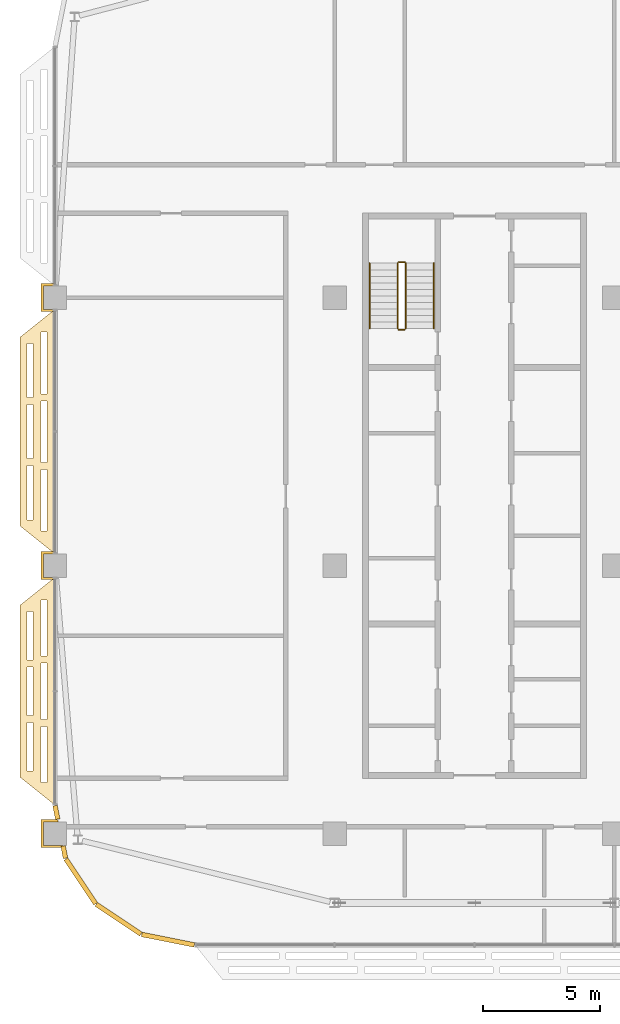
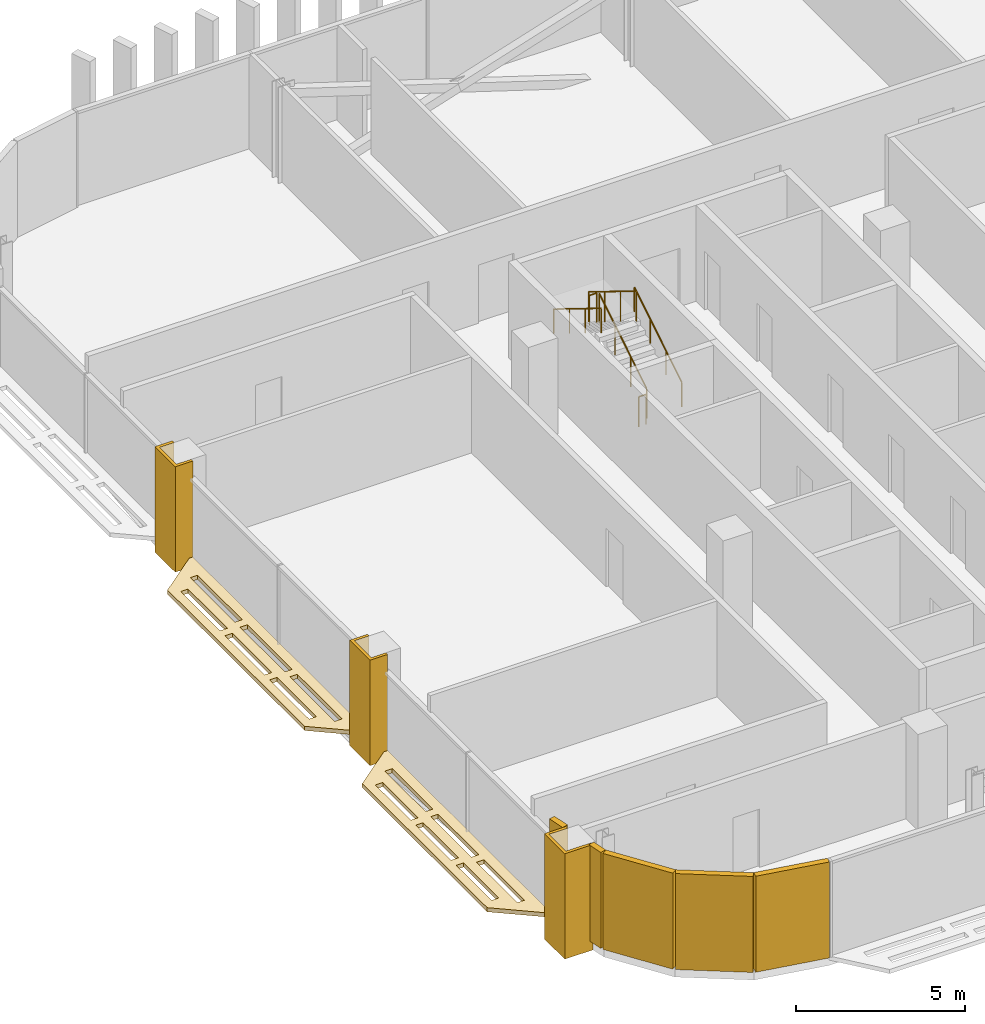
# One storey, part 26 of 32: 10 coverings, 6 railings.
"""IFC4 building model written with IfcOpenShell, lengths in metres."""

from ifc_helpers import new_model, si_unit, direction, frame, origin, origin_2d, place, context, subcontext, project, spatial, polyline, rectangle, circle, outline, extrude, material, layer, layer_set, type_object, element, save


model = new_model("IFC4")

# Units and contexts
model_context = context("Model", 3, precision=1e-05, world=origin(), true_north=direction((0.0, 1.0)))
body_context = subcontext(model_context, "Body", "Model", "MODEL_VIEW")
ifc_project = project(units=[si_unit("LENGTHUNIT", "METRE"), si_unit("AREAUNIT", "SQUARE_METRE"), si_unit("VOLUMEUNIT", "CUBIC_METRE"), si_unit("PLANEANGLEUNIT", "RADIAN"), si_unit("MASSUNIT", "GRAM", prefix="KILO")], contexts=[model_context])

# Site, building, storey
site_placement = place(None, origin())
site = spatial("IfcSite", under=ifc_project, at=site_placement, CompositionType="ELEMENT")
building_placement = place(site_placement, origin())
building = spatial("IfcBuilding", under=site, at=building_placement, Name="Mahtab Terrace Research Tower", CompositionType="ELEMENT")
storey_placement = place(building_placement, frame((0.0, 0.0, 236.199951171875)))
storey = spatial("IfcBuildingStorey", under=building, at=storey_placement, Name="L57", CompositionType="ELEMENT", Elevation=236.199951171875)

# Coverings
ifc_material_1 = material(Name="Black aluminium cladding panel", Category="aluminium")
ifc_layer_1 = layer(ifc_material_1, 0.199951171875)
ifc_layer_set_1 = layer_set([ifc_layer_1], Name="Black metal corner cladding 200")
covering_type_1 = type_object("IfcCoveringType", Name="Black metal corner cladding 200", PredefinedType="CLADDING", material=ifc_layer_set_1)
covering_1_placement = place(storey_placement, frame((-41.9384765625, -10.587158203125, 0.0), z_axis=(0.0, 0.0, 1.0), x_axis=(0.195212442692, -0.980760981187, 0.0)))
element("IfcCovering", 1, at=covering_1_placement, inside=storey, type_object=covering_type_1, Name="Corner cladding L57 11", PredefinedType="CLADDING", context=body_context, shape_type="SweptSolid", body=[
    extrude(rectangle(XDim=0.590576171875, YDim=0.199951171875, at=origin_2d()), origin(), (0.0, 0.0, 1.0), 3.4599609375),
])
covering_2_placement = place(storey_placement, frame((-41.59912109375, -12.292236328125, 0.0), z_axis=(0.0, 0.0, 1.0), x_axis=(0.195212442692, -0.980760981187, 0.0)))
element("IfcCovering", 2, at=covering_2_placement, inside=storey, type_object=covering_type_1, Name="Corner cladding L57 12", PredefinedType="CLADDING", context=body_context, shape_type="SweptSolid", body=[
    extrude(rectangle(XDim=0.53466796875, YDim=0.199951171875, at=origin_2d()), origin(), (0.0, 0.0, 1.0), 3.4599609375),
])
for number, where, z_axis, x_axis, name in (
    (3, (-40.89306640625, -13.547607421875, 0.0), (0.0, 0.0, 1.0), (0.555291490808, -0.831655794326, 0.0), "Corner cladding L57 13"),
    (4, (-39.26953125, -15.1708984375, 0.0), (0.0, 0.0, 1.0), (0.831655794326, -0.555291490808, 0.0), "Corner cladding L57 14"),
    (5, (-37.14794921875, -16.049560546875, 0.0), (0.0, 0.0, 1.0), (0.980760981187, -0.195212442692, 0.0), "Corner cladding L57 15"),
):
    element("IfcCovering", number, at=place(storey_placement, frame(where, z_axis=z_axis, x_axis=x_axis)), inside=storey, type_object=covering_type_1, Name=name, PredefinedType="CLADDING", context=body_context, shape_type="SweptSolid", body=[
        extrude(rectangle(XDim=2.30126953125, YDim=0.199951171875, at=origin_2d()), origin(), (0.0, 0.0, 1.0), 3.4599609375),
    ])
ifc_material_2 = material(Name="Dark anodised aluminium cladding", Category="aluminium")
ifc_layer_2 = layer(ifc_material_2, 0.10009765625)
ifc_layer_set_2 = layer_set([ifc_layer_2], Name="Column casing 100")
covering_type_2 = type_object("IfcCoveringType", Name="Column casing 100", PredefinedType="CLADDING", material=ifc_layer_set_2)
covering_3_placement = place(storey_placement, frame((0.0, 0.0, -0.33984375)))
element("IfcCovering", 6, at=covering_3_placement, inside=storey, type_object=covering_type_2, Name="Column casing RC-1A L57", PredefinedType="CLADDING", context=body_context, shape_type="SweptSolid", body=[
    extrude(outline(polyline([(-42.60009765625, -10.89990234375), (-41.8759765625, -10.89990234375), (-41.85595703125, -11.0), (-42.5, -11.0), (-42.5, -12.0), (-41.656982421875, -12.0), (-41.636962890625, -12.10009765625), (-42.60009765625, -12.10009765625), (-42.60009765625, -10.89990234375)])), origin(), (0.0, 0.0, 1.0), 3.7998046875),
])
covering_4_placement = place(storey_placement, frame((0.0, 0.0, -0.33984375)))
element("IfcCovering", 7, at=covering_4_placement, inside=storey, type_object=covering_type_2, Name="Column casing RC-1B L57", PredefinedType="CLADDING", context=body_context, shape_type="SweptSolid", body=[
    extrude(outline(polyline([(-42.60009765625, 0.60009765625), (-42.0, 0.60009765625), (-42.0, 0.5), (-42.5, 0.5), (-42.5, -0.5), (-42.0, -0.5), (-42.0, -0.60009765625), (-42.60009765625, -0.60009765625), (-42.60009765625, 0.60009765625)])), origin(), (0.0, 0.0, 1.0), 3.7998046875),
])
covering_5_placement = place(storey_placement, frame((0.0, 0.0, -0.33984375)))
element("IfcCovering", 8, at=covering_5_placement, inside=storey, type_object=covering_type_2, Name="Column casing RC-1C L57", PredefinedType="CLADDING", context=body_context, shape_type="SweptSolid", body=[
    extrude(outline(polyline([(-42.60009765625, 12.10009765625), (-42.0, 12.10009765625), (-42.0, 12.0), (-42.5, 12.0), (-42.5, 11.0), (-42.0, 11.0), (-42.0, 10.89990234375), (-42.60009765625, 10.89990234375), (-42.60009765625, 12.10009765625)])), origin(), (0.0, 0.0, 1.0), 3.7998046875),
])
ifc_material_3 = material(Name="Black anodised aluminium", Category="aluminium")
ifc_layer_3 = layer(ifc_material_3, 0.14990234375)
ifc_layer_set_3 = layer_set([ifc_layer_3], Name="Horizontal sunshade band")
covering_type_3 = type_object("IfcCoveringType", Name="Horizontal sunshade band", PredefinedType="CLADDING", material=ifc_layer_set_3)
covering_6_placement = place(storey_placement, frame((0.0, 0.0, -0.14990234375)))
element("IfcCovering", 9, at=covering_6_placement, inside=storey, type_object=covering_type_3, Name="Sunshade band L57 9", PredefinedType="CLADDING", context=body_context, shape_type="SweptSolid", body=[
    extrude(outline(polyline([(-42.0, 11.0), (-42.0, 0.5), (-43.5, 1.699951171875), (-43.5, 9.800048828125), (-42.0, 11.0)]), holes=[polyline([(-42.35009765625, 10.02001953125), (-42.35009765625, 7.373046875), (-42.60009765625, 7.373046875), (-42.60009765625, 10.02001953125), (-42.35009765625, 10.02001953125)]), polyline([(-42.35009765625, 7.072998046875), (-42.35009765625, 4.427001953125), (-42.60009765625, 4.427001953125), (-42.60009765625, 7.072998046875), (-42.35009765625, 7.072998046875)]), polyline([(-42.35009765625, 4.126953125), (-42.35009765625, 1.47998046875), (-42.60009765625, 1.47998046875), (-42.60009765625, 4.126953125), (-42.35009765625, 4.126953125)]), polyline([(-42.949951171875, 9.5400390625), (-42.949951171875, 7.212890625), (-43.199951171875, 7.212890625), (-43.199951171875, 9.5400390625), (-42.949951171875, 9.5400390625)]), polyline([(-42.949951171875, 6.9130859375), (-42.949951171875, 4.5869140625), (-43.199951171875, 4.5869140625), (-43.199951171875, 6.9130859375), (-42.949951171875, 6.9130859375)]), polyline([(-42.949951171875, 4.287109375), (-42.949951171875, 1.9599609375), (-43.199951171875, 1.9599609375), (-43.199951171875, 4.287109375), (-42.949951171875, 4.287109375)])]), origin(), (0.0, 0.0, 1.0), 0.14990234375),
])
covering_7_placement = place(storey_placement, frame((0.0, 0.0, -0.14990234375)))
element("IfcCovering", 10, at=covering_7_placement, inside=storey, type_object=covering_type_3, Name="Sunshade band L57 10", PredefinedType="CLADDING", context=body_context, shape_type="SweptSolid", body=[
    extrude(outline(polyline([(-42.0, -0.5), (-42.0, -10.278076171875), (-43.5, -9.077880859375), (-43.5, -1.699951171875), (-42.0, -0.5)]), holes=[polyline([(-42.35009765625, -1.47998046875), (-42.35009765625, -3.885986328125), (-42.60009765625, -3.885986328125), (-42.60009765625, -1.47998046875), (-42.35009765625, -1.47998046875)]), polyline([(-42.35009765625, -4.18603515625), (-42.35009765625, -6.592041015625), (-42.60009765625, -6.592041015625), (-42.60009765625, -4.18603515625), (-42.35009765625, -4.18603515625)]), polyline([(-42.35009765625, -6.89208984375), (-42.35009765625, -9.298095703125), (-42.60009765625, -9.298095703125), (-42.60009765625, -6.89208984375), (-42.35009765625, -6.89208984375)]), polyline([(-42.949951171875, -1.9599609375), (-42.949951171875, -4.0458984375), (-43.199951171875, -4.0458984375), (-43.199951171875, -1.9599609375), (-42.949951171875, -1.9599609375)]), polyline([(-42.949951171875, -4.345947265625), (-42.949951171875, -6.431884765625), (-43.199951171875, -6.431884765625), (-43.199951171875, -4.345947265625), (-42.949951171875, -4.345947265625)]), polyline([(-42.949951171875, -6.73193359375), (-42.949951171875, -8.818115234375), (-43.199951171875, -8.818115234375), (-43.199951171875, -6.73193359375), (-42.949951171875, -6.73193359375)])]), origin(), (0.0, 0.0, 1.0), 0.14990234375),
])

# Railings
ifc_material_4 = material(Name="Stainless steel AISI 304", Category="steel")
railing_type_1 = type_object("IfcRailingType", Name="Stair guard 1100", PredefinedType="GUARDRAIL", material=ifc_material_4)
railing_1_placement = place(storey_placement, frame((-26.949951171875, 10.175048828125, 0.1728515625)))
element("IfcRailing", 11, at=railing_1_placement, inside=storey, type_object=railing_type_1, Name="L57 ST1 stair guard 1", PredefinedType="GUARDRAIL", context=body_context, shape_type="SweptSolid", body=[
    extrude(circle(Radius=0.02392578125, at=origin_2d()), frame((0.0, 0.0, 1.076171875), z_axis=(0.0, 0.851089632645, 0.525020415988), x_axis=(-1.0, 0.0, 0.0)), (0.0, 0.0, 1.0), 3.2900390625),
    extrude(circle(Radius=0.02099609375, at=origin_2d()), origin(), (0.0, 0.0, 1.0), 1.052001953125),
    extrude(circle(Radius=0.02099609375, at=origin_2d()), frame((0.0, 0.933349609375, 0.57568359375)), (0.0, 0.0, 1.0), 1.052001953125),
    extrude(circle(Radius=0.02099609375, at=origin_2d()), frame((0.0, 1.86669921875, 1.151611328125)), (0.0, 0.0, 1.0), 1.052001953125),
    extrude(circle(Radius=0.02099609375, at=origin_2d()), frame((0.0, 2.800048828125, 1.727294921875)), (0.0, 0.0, 1.0), 1.052001953125),
])
railing_2_placement = place(storey_placement, frame((-27.0, 13.02490234375, 1.900146484375)))
element("IfcRailing", 12, at=railing_2_placement, inside=storey, type_object=railing_type_1, Name="L57 ST1 stair guard 2", PredefinedType="GUARDRAIL", context=body_context, shape_type="SweptSolid", body=[
    extrude(circle(Radius=0.02392578125, at=origin_2d()), frame((0.0, 0.0, 1.076171875), z_axis=(-1.0, 0.0, 0.0), x_axis=(0.0, -1.0, 0.0)), (0.0, 0.0, 1.0), 0.25),
    extrude(circle(Radius=0.02099609375, at=origin_2d()), origin(), (0.0, 0.0, 1.0), 1.052001953125),
    extrude(circle(Radius=0.02099609375, at=origin_2d()), frame((-0.25, 0.0, 0.0)), (0.0, 0.0, 1.0), 1.052001953125),
])
railing_3_placement = place(storey_placement, frame((-27.300048828125, 12.97509765625, 2.07275390625)))
element("IfcRailing", 13, at=railing_3_placement, inside=storey, type_object=railing_type_1, Name="L57 ST1 stair guard 3", PredefinedType="GUARDRAIL", context=body_context, shape_type="SweptSolid", body=[
    extrude(circle(Radius=0.02392578125, at=origin_2d()), frame((0.0, 0.0, 1.076171875), z_axis=(0.0, -0.851089632645, 0.525020415988), x_axis=(1.0, 0.0, 0.0)), (0.0, 0.0, 1.0), 3.2900390625),
    extrude(circle(Radius=0.02099609375, at=origin_2d()), origin(), (0.0, 0.0, 1.0), 1.052001953125),
    extrude(circle(Radius=0.02099609375, at=origin_2d()), frame((0.0, -0.933349609375, 0.57568359375)), (0.0, 0.0, 1.0), 1.052001953125),
    extrude(circle(Radius=0.02099609375, at=origin_2d()), frame((0.0, -1.86669921875, 1.151611328125)), (0.0, 0.0, 1.0), 1.052001953125),
    extrude(circle(Radius=0.02099609375, at=origin_2d()), frame((0.0, -2.800048828125, 1.727294921875)), (0.0, 0.0, 1.0), 1.052001953125),
])
railing_4_placement = place(storey_placement, frame((-27.0, 10.125, 0.0)))
element("IfcRailing", 14, at=railing_4_placement, inside=storey, type_object=railing_type_1, Name="L57 ST1 stair guard 4", PredefinedType="GUARDRAIL", context=body_context, shape_type="SweptSolid", body=[
    extrude(circle(Radius=0.02392578125, at=origin_2d()), frame((0.0, 0.0, 1.076171875), z_axis=(-1.0, 0.0, 0.0), x_axis=(0.0, -1.0, 0.0)), (0.0, 0.0, 1.0), 0.25),
    extrude(circle(Radius=0.02099609375, at=origin_2d()), origin(), (0.0, 0.0, 1.0), 1.052001953125),
    extrude(circle(Radius=0.02099609375, at=origin_2d()), frame((-0.25, 0.0, 0.0)), (0.0, 0.0, 1.0), 1.052001953125),
])
railing_type_2 = type_object("IfcRailingType", Name="Stair handrail 900", PredefinedType="HANDRAIL", material=ifc_material_4)
railing_5_placement = place(storey_placement, frame((-25.75, 10.175048828125, 0.1728515625)))
element("IfcRailing", 15, at=railing_5_placement, inside=storey, type_object=railing_type_2, Name="L57 ST1 stair handrail 1", PredefinedType="HANDRAIL", context=body_context, shape_type="SweptSolid", body=[
    extrude(circle(Radius=0.02392578125, at=origin_2d()), frame((0.0, 0.0, 0.8759765625), z_axis=(0.0, 0.851089632645, 0.525020415988), x_axis=(-1.0, 0.0, 0.0)), (0.0, 0.0, 1.0), 3.2900390625),
    extrude(circle(Radius=0.02099609375, at=origin_2d()), origin(), (0.0, 0.0, 1.0), 0.851806640625),
    extrude(circle(Radius=0.02099609375, at=origin_2d()), frame((0.0, 0.933349609375, 0.57568359375)), (0.0, 0.0, 1.0), 0.851806640625),
    extrude(circle(Radius=0.02099609375, at=origin_2d()), frame((0.0, 1.86669921875, 1.151611328125)), (0.0, 0.0, 1.0), 0.851806640625),
    extrude(circle(Radius=0.02099609375, at=origin_2d()), frame((0.0, 2.800048828125, 1.727294921875)), (0.0, 0.0, 1.0), 0.851806640625),
])
railing_6_placement = place(storey_placement, frame((-28.5, 12.97509765625, 2.07275390625)))
element("IfcRailing", 16, at=railing_6_placement, inside=storey, type_object=railing_type_2, Name="L57 ST1 stair handrail 2", PredefinedType="HANDRAIL", context=body_context, shape_type="SweptSolid", body=[
    extrude(circle(Radius=0.02392578125, at=origin_2d()), frame((0.0, 0.0, 0.8759765625), z_axis=(0.0, -0.851089632645, 0.525020415988), x_axis=(1.0, 0.0, 0.0)), (0.0, 0.0, 1.0), 3.2900390625),
    extrude(circle(Radius=0.02099609375, at=origin_2d()), origin(), (0.0, 0.0, 1.0), 0.851806640625),
    extrude(circle(Radius=0.02099609375, at=origin_2d()), frame((0.0, -0.933349609375, 0.57568359375)), (0.0, 0.0, 1.0), 0.851806640625),
    extrude(circle(Radius=0.02099609375, at=origin_2d()), frame((0.0, -1.86669921875, 1.151611328125)), (0.0, 0.0, 1.0), 0.851806640625),
    extrude(circle(Radius=0.02099609375, at=origin_2d()), frame((0.0, -2.800048828125, 1.727294921875)), (0.0, 0.0, 1.0), 0.851806640625),
])

save(model, "model.ifc")
